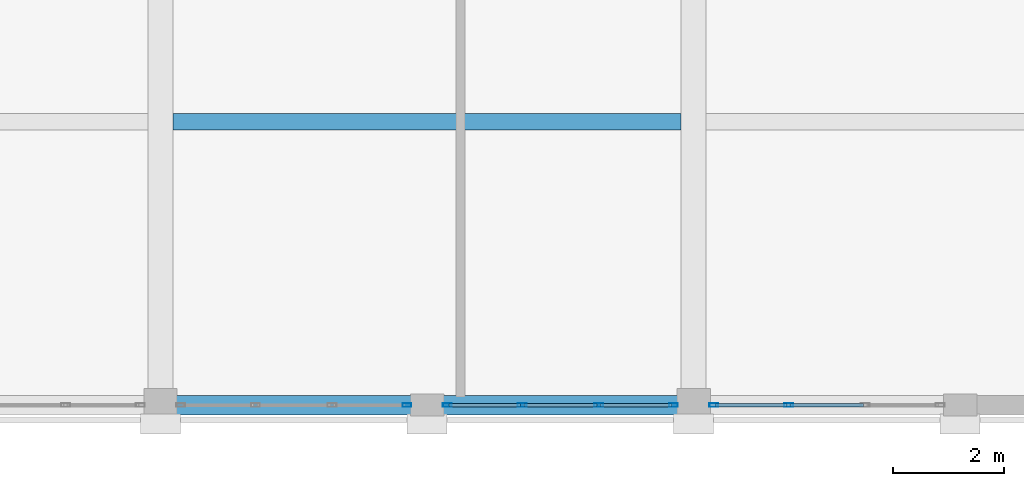
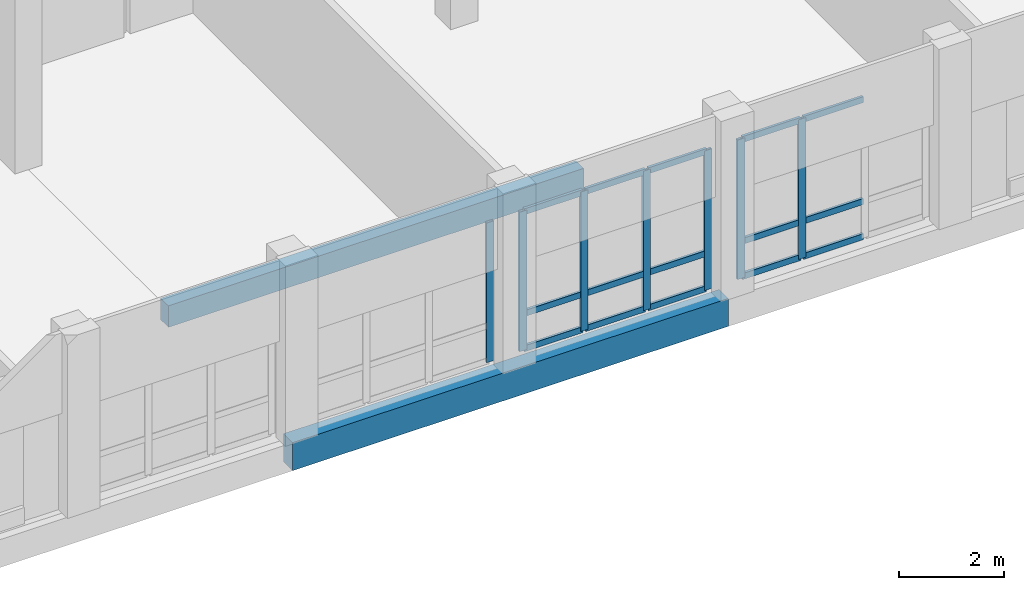
# One storey, part 12 of 93: 22 members, 2 beams, 3 elements without a shape of their own.
"""IFC4 building model written with IfcOpenShell, lengths in metres."""

import ifcopenshell
import ifcopenshell.guid

model = None  # the IFC model being written
_history = None  # IfcOwnerHistory: only IFC2X3 demands one
_inside = {}  # id of a spatial element -> (the spatial element, [elements in it])
_under = {}  # id of a project, library or spatial element -> (it, [spatial elements below it])
_declared = {}  # id of a project -> (the project, [libraries it declares])
_typed = {}  # id of a type object -> (the type object, [elements of that type])
_made_of = {}  # id of a material, layer set ... -> (it, [elements and type objects made of it])


def new_model(schema):
    """Start an empty IFC model of exactly this schema.

    Asked for "IFC4X3", IfcOpenShell would pick the latest addendum, in which some entities
    have other attributes; the version numbers below select the first issue.
    IFC2X3 requires an IfcOwnerHistory on every rooted entity: one is made here for all.
    """
    global model, _history
    if schema == "IFC4X3":
        model = ifcopenshell.file(schema_version=(4, 3, 0, 0))
    else:
        model = ifcopenshell.file(schema=schema)
    _inside.clear()
    _under.clear()
    _declared.clear()
    _typed.clear()
    _made_of.clear()
    _history = None
    if model.schema == "IFC2X3":
        org = make("IfcOrganization", Name="unknown")
        user = make(
            "IfcPersonAndOrganization",
            ThePerson=make("IfcPerson", FamilyName="unknown"),
            TheOrganization=org,
        )
        app = make(
            "IfcApplication",
            ApplicationDeveloper=org,
            Version="unknown",
            ApplicationFullName="unknown",
            ApplicationIdentifier="unknown",
        )
        _history = make(
            "IfcOwnerHistory",
            OwningUser=user,
            OwningApplication=app,
            ChangeAction="ADDED",
            CreationDate=0,
        )
    return model


def make(cls, **values):
    """One entity of the class cls with the attributes given. An attribute that is None is left unset."""
    return model.create_entity(
        cls, **{name: value for name, value in values.items() if value is not None}
    )


def rooted(cls, **values):
    """An entity with a GlobalId (a new one), such as an element, a storey or a relation."""
    return make(cls, GlobalId=ifcopenshell.guid.new(), OwnerHistory=_history, **values)


def si_unit(unit_type, name, prefix=None):
    """IfcSIUnit, for example si_unit("LENGTHUNIT", "METRE", prefix="MILLI")."""
    return make("IfcSIUnit", UnitType=unit_type, Prefix=prefix, Name=name)


def assignment(units):
    """IfcUnitAssignment: the units of a project."""
    return None if units is None else make("IfcUnitAssignment", Units=units)


def point(xyz):
    """IfcCartesianPoint."""
    return None if xyz is None else make("IfcCartesianPoint", Coordinates=xyz)


def direction(xyz):
    """IfcDirection."""
    return None if xyz is None else make("IfcDirection", DirectionRatios=xyz)


def frame(location, z_axis=None, x_axis=None):
    """IfcAxis2Placement3D, a coordinate frame: its origin and axes. An axis left out is left unset."""
    return make(
        "IfcAxis2Placement3D",
        Location=point(location),
        Axis=direction(z_axis),
        RefDirection=direction(x_axis),
    )


def frame_2d(location, x_axis=None):
    """IfcAxis2Placement2D, a coordinate frame in the plane: its origin and x axis."""
    return make(
        "IfcAxis2Placement2D", Location=point(location), RefDirection=direction(x_axis)
    )


def origin():
    """The frame at (0, 0, 0) with its axes left unset."""
    return frame((0.0, 0.0, 0.0))


def origin_2d():
    """The frame at (0, 0) in the plane with its x axis left unset."""
    return frame_2d((0.0, 0.0))


def place(relative_to, where):
    """IfcLocalPlacement: puts the frame where relative to a parent placement (None: the world)."""
    return make(
        "IfcLocalPlacement", PlacementRelTo=relative_to, RelativePlacement=where
    )


def context(
    kind, dimensions, precision=None, world=None, true_north=None, identifier=None
):
    """IfcGeometricRepresentationContext, for example the 3D "Model" context."""
    return make(
        "IfcGeometricRepresentationContext",
        ContextIdentifier=identifier,
        ContextType=kind,
        CoordinateSpaceDimension=dimensions,
        Precision=precision,
        WorldCoordinateSystem=world,
        TrueNorth=true_north,
    )


def subcontext(parent, identifier, kind, view, scale=None):
    """IfcGeometricRepresentationSubContext, for example "Body" below "Model"."""
    return make(
        "IfcGeometricRepresentationSubContext",
        ContextIdentifier=identifier,
        ContextType=kind,
        ParentContext=parent,
        TargetScale=scale,
        TargetView=view,
    )


def project(units=None, contexts=None):
    """IfcProject with its units and contexts."""
    return rooted(
        "IfcProject",
        Name="project",
        RepresentationContexts=contexts,
        UnitsInContext=assignment(units),
    )


def spatial(cls, under=None, at=None, **own):
    """A site, building, storey or space (cls), placed at a placement, below another one or the project."""
    s = rooted(cls, ObjectPlacement=at, **own)
    if under is not None:
        _under.setdefault(under.id(), (under, []))[1].append(s)
    return s


def profile(cls, at=None, kind="AREA", **sizes):
    """A parametric profile (cls). Its sizes go by their IFC names, for example OverallWidth=200.0."""
    return make(cls, ProfileType=kind, Position=at, **sizes)


def rectangle(**sizes):
    """IfcRectangleProfileDef."""
    return profile("IfcRectangleProfileDef", **sizes)


def hollow_rectangle(**sizes):
    """IfcRectangleHollowProfileDef."""
    return profile("IfcRectangleHollowProfileDef", **sizes)


def extrude(swept, where, along, depth):
    """IfcExtrudedAreaSolid: the profile swept, set in the frame where, extruded along a direction by depth."""
    return make(
        "IfcExtrudedAreaSolid",
        SweptArea=swept,
        Position=where,
        ExtrudedDirection=direction(along),
        Depth=depth,
    )


def shape(context_of_items, identifier, shape_type, items):
    """IfcShapeRepresentation: the items that make up one representation, for example the "Body"."""
    return make(
        "IfcShapeRepresentation",
        ContextOfItems=context_of_items,
        RepresentationIdentifier=identifier,
        RepresentationType=shape_type,
        Items=items,
    )


def material(Name=None, Category=None):
    """IfcMaterial."""
    return make("IfcMaterial", Name=Name, Category=Category)


def material_profile(
    of_material, cross_section, Name=None, Category=None, Priority=None
):
    """IfcMaterialProfile: a cross section and its material."""
    return make(
        "IfcMaterialProfile",
        Name=Name,
        Material=of_material,
        Profile=cross_section,
        Priority=Priority,
        Category=Category,
    )


def profile_set(profiles, Name=None, composite=None):
    """IfcMaterialProfileSet."""
    return make(
        "IfcMaterialProfileSet",
        Name=Name,
        MaterialProfiles=profiles,
        CompositeProfile=composite,
    )


def made_of(thing, what):
    """Note that an element or type object is made of a material, layer set ...; save() writes the relation."""
    if what is not None:
        _made_of.setdefault(what.id(), (what, []))[1].append(thing)
    return thing


def type_object(cls, material=None, **own):
    """A type object (cls), such as IfcWallType, which elements share."""
    return made_of(rooted(cls, **own), material)


def element(
    cls,
    number,
    at=None,
    inside=None,
    cuts=None,
    type_object=None,
    material=None,
    context=None,
    identifier="Body",
    shape_type=None,
    held_by="IfcProductDefinitionShape",
    body=None,
    shapes=None,
    **own,
):
    """One element of the class cls, such as IfcWall. Its Tag is "e" and its number.

    at: its placement. inside: the storey or other place that contains it. cuts: it is an
    opening in that element (IfcRelVoidsElement). A single representation is given by context,
    identifier, shape_type and body (its items); several are given by shapes. held_by: the class
    of the entity that holds the representations. save() writes the other relations.
    """
    e = rooted(cls, Tag="e%d" % number, ObjectPlacement=at, **own)
    if body is not None:
        shapes = [shape(context, identifier, shape_type, body)]
    if shapes is not None:
        e.Representation = make(held_by, Representations=shapes)
    if inside is not None:
        _inside.setdefault(inside.id(), (inside, []))[1].append(e)
    if cuts is not None:
        rooted(
            "IfcRelVoidsElement", RelatingBuildingElement=cuts, RelatedOpeningElement=e
        )
    if type_object is not None:
        _typed.setdefault(type_object.id(), (type_object, []))[1].append(e)
    return made_of(e, material)


def aggregate(whole, parts):
    """IfcRelAggregates: a whole, such as a stair, and the parts it consists of."""
    return rooted("IfcRelAggregates", RelatingObject=whole, RelatedObjects=parts)


def save(model, path):
    """Write the relations noted so far, then the file.

    IfcRelAggregates (storeys below a building ...), IfcRelContainedInSpatialStructure (elements
    in a storey), IfcRelDefinesByType, IfcRelAssociatesMaterial and IfcRelDeclares: one each for
    every whole, place, type object, material and project.
    """
    for whole, parts in _under.values():
        aggregate(whole, parts)
    for where, things in _inside.values():
        rooted(
            "IfcRelContainedInSpatialStructure",
            RelatedElements=things,
            RelatingStructure=where,
        )
    for kind, things in _typed.values():
        rooted("IfcRelDefinesByType", RelatedObjects=things, RelatingType=kind)
    for what, things in _made_of.values():
        rooted("IfcRelAssociatesMaterial", RelatedObjects=things, RelatingMaterial=what)
    for by, libraries in _declared.values():
        rooted("IfcRelDeclares", RelatingContext=by, RelatedDefinitions=libraries)
    model.write(path)


model = new_model("IFC4")

# Units and contexts
model_context = context("Model", 3, precision=1e-05, world=origin(), true_north=direction((0.0, 1.0)))
body_context = subcontext(model_context, "Body", "Model", "MODEL_VIEW")
ifc_project = project(units=[si_unit("LENGTHUNIT", "METRE"), si_unit("AREAUNIT", "SQUARE_METRE"), si_unit("VOLUMEUNIT", "CUBIC_METRE"), si_unit("PLANEANGLEUNIT", "RADIAN"), si_unit("MASSUNIT", "GRAM", prefix="KILO")], contexts=[model_context])

# Site, building, storey
site_placement = place(None, origin())
site = spatial("IfcSite", under=ifc_project, at=site_placement, CompositionType="ELEMENT")
building_placement = place(site_placement, origin())
building = spatial("IfcBuilding", under=site, at=building_placement, Name="Vondelvale Polytechnic", CompositionType="ELEMENT")
storey_placement = place(building_placement, frame((0.0, 0.0, 18.0)))
storey = spatial("IfcBuildingStorey", under=building, at=storey_placement, Name="L04", CompositionType="ELEMENT", Elevation=18.0)

# Curtain wall, member
ifc_material_1 = material(Name="Anodised extruded aluminium 6063-T6", Category="aluminium")
curtain_wall_type = type_object("IfcCurtainWallType", Name="CW-LIBRARY-BAY", PredefinedType="NOTDEFINED", material=ifc_material_1)
curtain_wall_1_placement = place(storey_placement, origin())
curtain_wall_1 = element("IfcCurtainWall", 1, at=curtain_wall_1_placement, inside=storey, type_object=curtain_wall_type, Name="L04 architectural curtain wall CW-02-032", PredefinedType="NOTDEFINED")
ifc_material_profile_1 = material_profile(ifc_material_1, hollow_rectangle(XDim=0.06494140625, YDim=0.159912109375, WallThickness=0.0048828125, at=origin_2d()), Name="CW-MUL-160x65")
ifc_profile_set_1 = profile_set([ifc_material_profile_1], Name="Anodised extruded aluminium 6063-T6")
member_type_1 = type_object("IfcMemberType", Name="CW-MUL-65x160", PredefinedType="MULLION", material=ifc_profile_set_1)
member_1_placement = place(storey_placement, frame((23.637451171875, 0.0, 0.0), z_axis=(0.0, 0.0, 1.0), x_axis=(0.0, 1.0, 0.0)))
member_1 = element("IfcMember", 2, at=member_1_placement, type_object=member_type_1, Name="CW-02-032 mullion 4", PredefinedType="MULLION", context=body_context, shape_type="SweptSolid", body=[
    extrude(hollow_rectangle(XDim=0.06494140625, YDim=0.159912109375, WallThickness=0.0048828125, at=origin_2d()), origin(), (0.0, 0.0, 1.0), 3.25),
])
aggregate(curtain_wall_1, [member_1])

# Curtain wall, members
curtain_wall_2_placement = place(storey_placement, origin())
curtain_wall_2 = element("IfcCurtainWall", 3, at=curtain_wall_2_placement, inside=storey, type_object=curtain_wall_type, Name="L04 architectural curtain wall CW-02-033", PredefinedType="NOTDEFINED")
member_2_placement = place(storey_placement, frame((24.362548828125, 0.0, 0.0), z_axis=(0.0, 0.0, 1.0), x_axis=(0.0, 1.0, 0.0)))
member_2 = element("IfcMember", 4, at=member_2_placement, type_object=member_type_1, Name="CW-02-033 mullion 1", PredefinedType="MULLION", context=body_context, shape_type="SweptSolid", body=[
    extrude(hollow_rectangle(XDim=0.06494140625, YDim=0.159912109375, WallThickness=0.0048828125, at=origin_2d()), origin(), (0.0, 0.0, 1.0), 3.25),
])
member_3_placement = place(storey_placement, frame((25.7099609375, 0.0, 0.0), z_axis=(0.0, 0.0, 1.0), x_axis=(0.0, 1.0, 0.0)))
member_3 = element("IfcMember", 5, at=member_3_placement, type_object=member_type_1, Name="CW-02-033 mullion 2", PredefinedType="MULLION", context=body_context, shape_type="SweptSolid", body=[
    extrude(hollow_rectangle(XDim=0.06494140625, YDim=0.159912109375, WallThickness=0.0048828125, at=origin_2d()), origin(), (0.0, 0.0, 1.0), 3.25),
])
member_4_placement = place(storey_placement, frame((27.090087890625, 0.0, 0.0), z_axis=(0.0, 0.0, 1.0), x_axis=(0.0, 1.0, 0.0)))
member_4 = element("IfcMember", 6, at=member_4_placement, type_object=member_type_1, Name="CW-02-033 mullion 3", PredefinedType="MULLION", context=body_context, shape_type="SweptSolid", body=[
    extrude(hollow_rectangle(XDim=0.06494140625, YDim=0.159912109375, WallThickness=0.0048828125, at=origin_2d()), origin(), (0.0, 0.0, 1.0), 3.25),
])
member_5_placement = place(storey_placement, frame((28.4375, 0.0, 0.0), z_axis=(0.0, 0.0, 1.0), x_axis=(0.0, 1.0, 0.0)))
member_5 = element("IfcMember", 7, at=member_5_placement, type_object=member_type_1, Name="CW-02-033 mullion 4", PredefinedType="MULLION", context=body_context, shape_type="SweptSolid", body=[
    extrude(hollow_rectangle(XDim=0.06494140625, YDim=0.159912109375, WallThickness=0.0048828125, at=origin_2d()), origin(), (0.0, 0.0, 1.0), 3.25),
])

curtain_wall_3_placement = place(storey_placement, origin())
curtain_wall_3 = element("IfcCurtainWall", 8, at=curtain_wall_3_placement, inside=storey, type_object=curtain_wall_type, Name="L04 architectural curtain wall CW-02-034", PredefinedType="NOTDEFINED")
member_6_placement = place(storey_placement, frame((29.16259765625, 0.0, 0.0), z_axis=(0.0, 0.0, 1.0), x_axis=(0.0, 1.0, 0.0)))
member_6 = element("IfcMember", 9, at=member_6_placement, type_object=member_type_1, Name="CW-02-034 mullion 1", PredefinedType="MULLION", context=body_context, shape_type="SweptSolid", body=[
    extrude(hollow_rectangle(XDim=0.06494140625, YDim=0.159912109375, WallThickness=0.0048828125, at=origin_2d()), origin(), (0.0, 0.0, 1.0), 3.25),
])
member_7_placement = place(storey_placement, frame((30.510009765625, 0.0, 0.0), z_axis=(0.0, 0.0, 1.0), x_axis=(0.0, 1.0, 0.0)))
member_7 = element("IfcMember", 10, at=member_7_placement, type_object=member_type_1, Name="CW-02-034 mullion 2", PredefinedType="MULLION", context=body_context, shape_type="SweptSolid", body=[
    extrude(hollow_rectangle(XDim=0.06494140625, YDim=0.159912109375, WallThickness=0.0048828125, at=origin_2d()), origin(), (0.0, 0.0, 1.0), 3.25),
])

# Member
ifc_material_profile_2 = material_profile(ifc_material_1, hollow_rectangle(XDim=0.06005859375, YDim=0.139892578125, WallThickness=0.00341796875, at=origin_2d()), Name="CW-TRN-140x60")
ifc_profile_set_2 = profile_set([ifc_material_profile_2], Name="Anodised extruded aluminium 6063-T6")
member_type_2 = type_object("IfcMemberType", Name="CW-TRN-60x140", PredefinedType="USERDEFINED", material=ifc_profile_set_2)
member_8_placement = place(storey_placement, frame((24.39501953125, 0.0, 0.030029296875), z_axis=(1.0, 0.0, 0.0), x_axis=(0.0, 1.0, 0.0)))
member_8 = element("IfcMember", 11, at=member_8_placement, type_object=member_type_2, Name="CW-02-033 transom 1.1", ObjectType="TRANSOM", PredefinedType="USERDEFINED", context=body_context, shape_type="SweptSolid", body=[
    extrude(hollow_rectangle(XDim=0.06005859375, YDim=0.139892578125, WallThickness=0.00341796875, at=origin_2d()), origin(), (0.0, 0.0, 1.0), 1.282470703125),
])

member_9_placement = place(storey_placement, frame((24.39501953125, 0.0, 0.85009765625), z_axis=(1.0, 0.0, 0.0), x_axis=(0.0, 1.0, 0.0)))
member_9 = element("IfcMember", 12, at=member_9_placement, type_object=member_type_2, Name="CW-02-033 transom 1.2", ObjectType="TRANSOM", PredefinedType="USERDEFINED", context=body_context, shape_type="SweptSolid", body=[
    extrude(hollow_rectangle(XDim=0.06005859375, YDim=0.139892578125, WallThickness=0.00341796875, at=origin_2d()), origin(), (0.0, 0.0, 1.0), 1.282470703125),
])

member_10_placement = place(storey_placement, frame((24.39501953125, 0.0, 3.219970703125), z_axis=(1.0, 0.0, 0.0), x_axis=(0.0, 1.0, 0.0)))
member_10 = element("IfcMember", 13, at=member_10_placement, type_object=member_type_2, Name="CW-02-033 transom 1.3", ObjectType="TRANSOM", PredefinedType="USERDEFINED", context=body_context, shape_type="SweptSolid", body=[
    extrude(hollow_rectangle(XDim=0.06005859375, YDim=0.139892578125, WallThickness=0.00341796875, at=origin_2d()), origin(), (0.0, 0.0, 1.0), 1.282470703125),
])

member_11_placement = place(storey_placement, frame((25.742431640625, 0.0, 0.030029296875), z_axis=(1.0, 0.0, 0.0), x_axis=(0.0, 1.0, 0.0)))
member_11 = element("IfcMember", 14, at=member_11_placement, type_object=member_type_2, Name="CW-02-033 transom 2.1", ObjectType="TRANSOM", PredefinedType="USERDEFINED", context=body_context, shape_type="SweptSolid", body=[
    extrude(hollow_rectangle(XDim=0.06005859375, YDim=0.139892578125, WallThickness=0.00341796875, at=origin_2d()), origin(), (0.0, 0.0, 1.0), 1.315185546875),
])

member_12_placement = place(storey_placement, frame((25.742431640625, 0.0, 0.85009765625), z_axis=(1.0, 0.0, 0.0), x_axis=(0.0, 1.0, 0.0)))
member_12 = element("IfcMember", 15, at=member_12_placement, type_object=member_type_2, Name="CW-02-033 transom 2.2", ObjectType="TRANSOM", PredefinedType="USERDEFINED", context=body_context, shape_type="SweptSolid", body=[
    extrude(hollow_rectangle(XDim=0.06005859375, YDim=0.139892578125, WallThickness=0.00341796875, at=origin_2d()), origin(), (0.0, 0.0, 1.0), 1.315185546875),
])

member_13_placement = place(storey_placement, frame((25.742431640625, 0.0, 3.219970703125), z_axis=(1.0, 0.0, 0.0), x_axis=(0.0, 1.0, 0.0)))
member_13 = element("IfcMember", 16, at=member_13_placement, type_object=member_type_2, Name="CW-02-033 transom 2.3", ObjectType="TRANSOM", PredefinedType="USERDEFINED", context=body_context, shape_type="SweptSolid", body=[
    extrude(hollow_rectangle(XDim=0.06005859375, YDim=0.139892578125, WallThickness=0.00341796875, at=origin_2d()), origin(), (0.0, 0.0, 1.0), 1.315185546875),
])

member_14_placement = place(storey_placement, frame((27.12255859375, 0.0, 0.030029296875), z_axis=(1.0, 0.0, 0.0), x_axis=(0.0, 1.0, 0.0)))
member_14 = element("IfcMember", 17, at=member_14_placement, type_object=member_type_2, Name="CW-02-033 transom 3.1", ObjectType="TRANSOM", PredefinedType="USERDEFINED", context=body_context, shape_type="SweptSolid", body=[
    extrude(hollow_rectangle(XDim=0.06005859375, YDim=0.139892578125, WallThickness=0.00341796875, at=origin_2d()), origin(), (0.0, 0.0, 1.0), 1.282470703125),
])

member_15_placement = place(storey_placement, frame((27.12255859375, 0.0, 0.85009765625), z_axis=(1.0, 0.0, 0.0), x_axis=(0.0, 1.0, 0.0)))
member_15 = element("IfcMember", 18, at=member_15_placement, type_object=member_type_2, Name="CW-02-033 transom 3.2", ObjectType="TRANSOM", PredefinedType="USERDEFINED", context=body_context, shape_type="SweptSolid", body=[
    extrude(hollow_rectangle(XDim=0.06005859375, YDim=0.139892578125, WallThickness=0.00341796875, at=origin_2d()), origin(), (0.0, 0.0, 1.0), 1.282470703125),
])

member_16_placement = place(storey_placement, frame((27.12255859375, 0.0, 3.219970703125), z_axis=(1.0, 0.0, 0.0), x_axis=(0.0, 1.0, 0.0)))
member_16 = element("IfcMember", 19, at=member_16_placement, type_object=member_type_2, Name="CW-02-033 transom 3.3", ObjectType="TRANSOM", PredefinedType="USERDEFINED", context=body_context, shape_type="SweptSolid", body=[
    extrude(hollow_rectangle(XDim=0.06005859375, YDim=0.139892578125, WallThickness=0.00341796875, at=origin_2d()), origin(), (0.0, 0.0, 1.0), 1.282470703125),
])

aggregate(curtain_wall_2, [member_2, member_3, member_4, member_5, member_8, member_9, member_10, member_11, member_12, member_13, member_14, member_15, member_16])

member_17_placement = place(storey_placement, frame((29.195068359375, 0.0, 0.030029296875), z_axis=(1.0, 0.0, 0.0), x_axis=(0.0, 1.0, 0.0)))
member_17 = element("IfcMember", 20, at=member_17_placement, type_object=member_type_2, Name="CW-02-034 transom 1.1", ObjectType="TRANSOM", PredefinedType="USERDEFINED", context=body_context, shape_type="SweptSolid", body=[
    extrude(hollow_rectangle(XDim=0.06005859375, YDim=0.139892578125, WallThickness=0.00341796875, at=origin_2d()), origin(), (0.0, 0.0, 1.0), 1.282470703125),
])

member_18_placement = place(storey_placement, frame((29.195068359375, 0.0, 0.85009765625), z_axis=(1.0, 0.0, 0.0), x_axis=(0.0, 1.0, 0.0)))
member_18 = element("IfcMember", 21, at=member_18_placement, type_object=member_type_2, Name="CW-02-034 transom 1.2", ObjectType="TRANSOM", PredefinedType="USERDEFINED", context=body_context, shape_type="SweptSolid", body=[
    extrude(hollow_rectangle(XDim=0.06005859375, YDim=0.139892578125, WallThickness=0.00341796875, at=origin_2d()), origin(), (0.0, 0.0, 1.0), 1.282470703125),
])

member_19_placement = place(storey_placement, frame((29.195068359375, 0.0, 3.219970703125), z_axis=(1.0, 0.0, 0.0), x_axis=(0.0, 1.0, 0.0)))
member_19 = element("IfcMember", 22, at=member_19_placement, type_object=member_type_2, Name="CW-02-034 transom 1.3", ObjectType="TRANSOM", PredefinedType="USERDEFINED", context=body_context, shape_type="SweptSolid", body=[
    extrude(hollow_rectangle(XDim=0.06005859375, YDim=0.139892578125, WallThickness=0.00341796875, at=origin_2d()), origin(), (0.0, 0.0, 1.0), 1.282470703125),
])

member_20_placement = place(storey_placement, frame((30.54248046875, 0.0, 0.030029296875), z_axis=(1.0, 0.0, 0.0), x_axis=(0.0, 1.0, 0.0)))
member_20 = element("IfcMember", 23, at=member_20_placement, type_object=member_type_2, Name="CW-02-034 transom 2.1", ObjectType="TRANSOM", PredefinedType="USERDEFINED", context=body_context, shape_type="SweptSolid", body=[
    extrude(hollow_rectangle(XDim=0.06005859375, YDim=0.139892578125, WallThickness=0.00341796875, at=origin_2d()), origin(), (0.0, 0.0, 1.0), 1.31494140625),
])

member_21_placement = place(storey_placement, frame((30.54248046875, 0.0, 0.85009765625), z_axis=(1.0, 0.0, 0.0), x_axis=(0.0, 1.0, 0.0)))
member_21 = element("IfcMember", 24, at=member_21_placement, type_object=member_type_2, Name="CW-02-034 transom 2.2", ObjectType="TRANSOM", PredefinedType="USERDEFINED", context=body_context, shape_type="SweptSolid", body=[
    extrude(hollow_rectangle(XDim=0.06005859375, YDim=0.139892578125, WallThickness=0.00341796875, at=origin_2d()), origin(), (0.0, 0.0, 1.0), 1.31494140625),
])

member_22_placement = place(storey_placement, frame((30.54248046875, 0.0, 3.219970703125), z_axis=(1.0, 0.0, 0.0), x_axis=(0.0, 1.0, 0.0)))
member_22 = element("IfcMember", 25, at=member_22_placement, type_object=member_type_2, Name="CW-02-034 transom 2.3", ObjectType="TRANSOM", PredefinedType="USERDEFINED", context=body_context, shape_type="SweptSolid", body=[
    extrude(hollow_rectangle(XDim=0.06005859375, YDim=0.139892578125, WallThickness=0.00341796875, at=origin_2d()), origin(), (0.0, 0.0, 1.0), 1.31494140625),
])

aggregate(curtain_wall_3, [member_6, member_7, member_17, member_18, member_19, member_20, member_21, member_22])

# Beams
ifc_material_2 = material(Name="Concrete N40 (f'c = 40 MPa)", Category="concrete")
ifc_material_profile_3 = material_profile(ifc_material_2, rectangle(XDim=0.300048828125, YDim=0.5, at=origin_2d()), Name="RC-JST-300x500")
ifc_profile_set_3 = profile_set([ifc_material_profile_3], Name="Concrete N40 (f'c = 40 MPa)")
beam_type_1 = type_object("IfcBeamType", Name="JST-RC300x500", PredefinedType="JOIST", material=ifc_profile_set_3)
beam_1_placement = place(storey_placement, frame((19.425048828125, 5.10009765625, -0.5), z_axis=(1.0, 0.0, 0.0), x_axis=(0.0, 1.0, 0.0)))
element("IfcBeam", 26, at=beam_1_placement, inside=storey, type_object=beam_type_1, Name="L04 J J-02", PredefinedType="JOIST", context=body_context, shape_type="SweptSolid", body=[
    extrude(rectangle(XDim=0.300048828125, YDim=0.5, at=origin_2d()), origin(), (0.0, 0.0, 1.0), 9.14990234375),
])
ifc_material_3 = material(Name="Precast concrete N40 (f'c = 40 MPa)", Category="concrete")
ifc_material_profile_4 = material_profile(ifc_material_3, rectangle(XDim=0.35009765625, YDim=0.64990234375, at=origin_2d()), Name="RC-SPN-350x650")
ifc_profile_set_4 = profile_set([ifc_material_profile_4], Name="Precast concrete N40 (f'c = 40 MPa)")
beam_type_2 = type_object("IfcBeamType", Name="SPN-PRE350x650", PredefinedType="SPANDREL", material=ifc_profile_set_4)
beam_2_placement = place(storey_placement, frame((19.199951171875, 0.0, -0.574951171875), z_axis=(1.0, 0.0, 0.0), x_axis=(0.0, 1.0, 0.0)))
element("IfcBeam", 27, at=beam_2_placement, inside=storey, type_object=beam_type_2, Name="L04 B SP-02", PredefinedType="SPANDREL", context=body_context, shape_type="SweptSolid", body=[
    extrude(rectangle(XDim=0.35009765625, YDim=0.64990234375, at=origin_2d()), origin(), (0.0, 0.0, 1.0), 9.60009765625),
])

save(model, "model.ifc")
